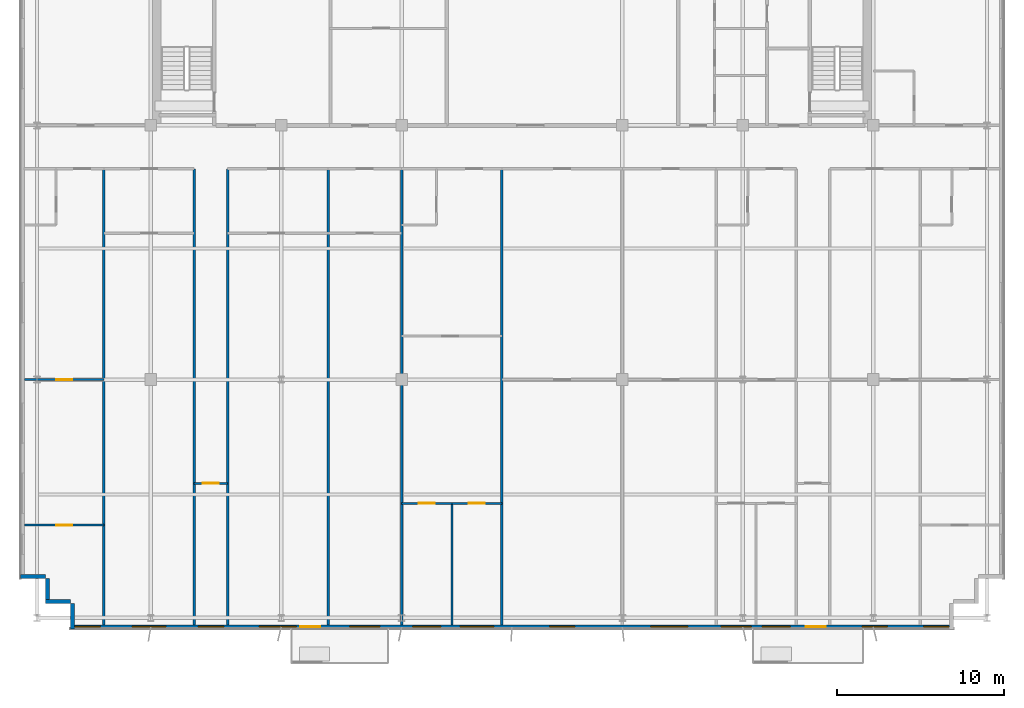
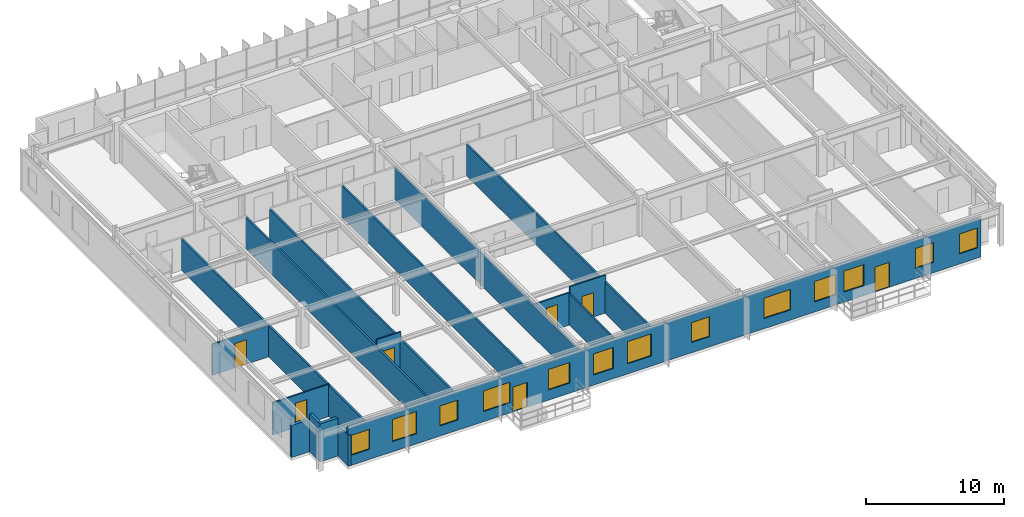
# One storey, part 14 of 21: 17 walls, 13 windows, 7 doors, 20 openings.
"""IFC4 building model written with IfcOpenShell, lengths in metres."""

from ifc_helpers import new_model, si_unit, direction, frame, frame_2d, origin, place, context, subcontext, project, spatial, rectangle, extrude, source, transform, mapped, material, layer, layer_set, type_object, element, fill, save


model = new_model("IFC4")

# Units and contexts
model_context = context("Model", 3, precision=1e-05, world=origin(), true_north=direction((0.0, 1.0)))
body_context = subcontext(model_context, "Body", "Model", "MODEL_VIEW")
ifc_project = project(units=[si_unit("LENGTHUNIT", "METRE"), si_unit("AREAUNIT", "SQUARE_METRE"), si_unit("VOLUMEUNIT", "CUBIC_METRE"), si_unit("PLANEANGLEUNIT", "RADIAN"), si_unit("MASSUNIT", "GRAM", prefix="KILO")], contexts=[model_context])

# Site, building, storey
site_placement = place(None, origin())
site = spatial("IfcSite", under=ifc_project, at=site_placement, CompositionType="ELEMENT")
building_placement = place(site_placement, origin())
building = spatial("IfcBuilding", under=site, at=building_placement, Name="Trelvane Seafront Commons", CompositionType="ELEMENT")
storey_placement = place(building_placement, frame((0.0, 0.0, 157.300048828125)))
storey = spatial("IfcBuildingStorey", under=building, at=storey_placement, Name="L41", CompositionType="ELEMENT", Elevation=157.300048828125)

# Walls
ifc_material_1 = material(Name="Precast concrete C40/50", Category="concrete")
ifc_layer_1 = layer(ifc_material_1, 0.239990234375, Name="ARCH-WALL-EXT240")
ifc_layer_set_1 = layer_set([ifc_layer_1], Name="Precast concrete C40/50")
wall_type_1 = type_object("IfcWallType", Name="ARCH-WALL-EXT240", PredefinedType="SOLIDWALL", material=ifc_layer_set_1)
for number, where, z_axis, x_axis, name in (
    (1, (10.800048828125, 4.919921875, 0.0), (0.0, 0.0, 1.0), (-1.0, 0.0, 0.0), "EW-L41-00802"),
    (2, (9.419921875, 4.800048828125, 0.0), (0.0, 0.0, 1.0), (0.0, 1.0, 0.0), "EW-L41-00803"),
):
    element("IfcWall", number, at=place(storey_placement, frame(where, z_axis=z_axis, x_axis=x_axis)), inside=storey, type_object=wall_type_1, Name=name, PredefinedType="SOLIDWALL", context=body_context, shape_type="SweptSolid", body=[
        extrude(rectangle(XDim=1.5, YDim=0.239990234375, at=frame_2d((0.75, 0.0))), origin(), (0.0, 0.0, 1.0), 3.349853515625),
    ])
wall_1_placement = place(storey_placement, frame((9.300048828125, 6.419921875, 0.0), z_axis=(0.0, 0.0, 1.0), x_axis=(-1.0, 0.0, 0.0)))
element("IfcWall", 3, at=wall_1_placement, inside=storey, type_object=wall_type_1, Name="EW-L41-00804", PredefinedType="SOLIDWALL", context=body_context, shape_type="SweptSolid", body=[
    extrude(rectangle(XDim=1.5, YDim=0.239990234375, at=frame_2d((0.75, 0.0))), origin(), (0.0, 0.0, 1.0), 2.849853515625),
])

# Wall, openings, doors, windows
wall_2_placement = place(storey_placement, frame((63.60009765625, 3.419921875, 0.0), z_axis=(0.0, 0.0, 1.0), x_axis=(-1.0, 0.0, 0.0)))
wall_2 = element("IfcWall", 4, at=wall_2_placement, inside=storey, type_object=wall_type_1, Name="EW-L41-00819", PredefinedType="SOLIDWALL", context=body_context, shape_type="SweptSolid", body=[
    extrude(rectangle(XDim=52.800048828125, YDim=0.239990234375, at=frame_2d((26.39990234375, 0.0))), origin(), (0.0, 0.0, 1.0), 3.349853515625),
])
opening_1_placement = place(wall_2_placement, frame((0.294921875, 0.0, 0.89990234375)))
opening_1 = element("IfcOpeningElement", 5, at=opening_1_placement, cuts=wall_2, Name="Opening W03", PredefinedType="OPENING", context=body_context, shape_type="SweptSolid", body=[
    extrude(rectangle(XDim=1.5, YDim=1.75, at=frame_2d((0.75, 0.875))), frame((0.0, 0.1298828125, 0.0), z_axis=(0.0, -1.0, 0.0), x_axis=(1.0, 0.0, 0.0)), (0.0, 0.0, 1.0), 0.260009765625),
])
opening_2_placement = place(wall_2_placement, frame((3.949951171875, 0.0, 0.89990234375)))
opening_2 = element("IfcOpeningElement", 6, at=opening_2_placement, cuts=wall_2, Name="Opening W03", PredefinedType="OPENING", context=body_context, shape_type="SweptSolid", body=[
    extrude(rectangle(XDim=1.5, YDim=1.75, at=frame_2d((0.75, 0.875))), frame((0.0, 0.1298828125, 0.0), z_axis=(0.0, -1.0, 0.0), x_axis=(1.0, 0.0, 0.0)), (0.0, 0.0, 1.0), 0.260009765625),
])
opening_3_placement = place(wall_2_placement, frame((7.635009765625, 0.0, 0.0)))
opening_3 = element("IfcOpeningElement", 7, at=opening_3_placement, cuts=wall_2, Name="Opening BD-L41-95", PredefinedType="OPENING", context=body_context, shape_type="SweptSolid", body=[
    extrude(rectangle(XDim=1.199951171875, YDim=2.199951171875, at=frame_2d((0.60009765625, 1.10009765625))), frame((0.0, 0.1298828125, 0.0), z_axis=(0.0, -1.0, 0.0), x_axis=(1.0, 0.0, 0.0)), (0.0, 0.0, 1.0), 0.260009765625),
])
opening_4_placement = place(wall_2_placement, frame((9.77490234375, 0.0, 0.89990234375)))
opening_4 = element("IfcOpeningElement", 8, at=opening_4_placement, cuts=wall_2, Name="Opening W07", PredefinedType="OPENING", context=body_context, shape_type="SweptSolid", body=[
    extrude(rectangle(XDim=1.64990234375, YDim=1.85009765625, at=frame_2d((0.824951171875, 0.925048828125))), frame((0.0, 0.1298828125, 0.0), z_axis=(0.0, -1.0, 0.0), x_axis=(1.0, 0.0, 0.0)), (0.0, 0.0, 1.0), 0.260009765625),
])
opening_5_placement = place(wall_2_placement, frame((12.10009765625, 0.0, 0.89990234375)))
opening_5 = element("IfcOpeningElement", 9, at=opening_5_placement, cuts=wall_2, Name="Opening W01", PredefinedType="OPENING", context=body_context, shape_type="SweptSolid", body=[
    extrude(rectangle(XDim=1.800048828125, YDim=1.800048828125, at=frame_2d((0.89990234375, 0.89990234375))), frame((0.0, 0.1298828125, 0.0), z_axis=(0.0, -1.0, 0.0), x_axis=(1.0, 0.0, 0.0)), (0.0, 0.0, 1.0), 0.260009765625),
])
opening_6_placement = place(wall_2_placement, frame((15.89990234375, 0.0, 0.89990234375)))
opening_6 = element("IfcOpeningElement", 10, at=opening_6_placement, cuts=wall_2, Name="Opening W02", PredefinedType="OPENING", context=body_context, shape_type="SweptSolid", body=[
    extrude(rectangle(XDim=2.199951171875, YDim=1.800048828125, at=frame_2d((1.10009765625, 0.89990234375))), frame((0.0, 0.1298828125, 0.0), z_axis=(0.0, -1.0, 0.0), x_axis=(1.0, 0.0, 0.0)), (0.0, 0.0, 1.0), 0.260009765625),
])
opening_7_placement = place(wall_2_placement, frame((22.64990234375, 0.0, 0.89990234375)))
opening_7 = element("IfcOpeningElement", 11, at=opening_7_placement, cuts=wall_2, Name="Opening W03", PredefinedType="OPENING", context=body_context, shape_type="SweptSolid", body=[
    extrude(rectangle(XDim=1.5, YDim=1.75, at=frame_2d((0.75, 0.875))), frame((0.0, 0.1298828125, 0.0), z_axis=(0.0, -1.0, 0.0), x_axis=(1.0, 0.0, 0.0)), (0.0, 0.0, 1.0), 0.260009765625),
])
opening_8_placement = place(wall_2_placement, frame((27.5, 0.0, 0.89990234375)))
opening_8 = element("IfcOpeningElement", 12, at=opening_8_placement, cuts=wall_2, Name="Opening W06", PredefinedType="OPENING", context=body_context, shape_type="SweptSolid", body=[
    extrude(rectangle(XDim=2.0, YDim=1.949951171875, at=frame_2d((1.0, 0.97509765625))), frame((0.0, 0.1298828125, 0.0), z_axis=(0.0, -1.0, 0.0), x_axis=(1.0, 0.0, 0.0)), (0.0, 0.0, 1.0), 0.260009765625),
])
opening_9_placement = place(wall_2_placement, frame((30.675048828125, 0.0, 0.89990234375)))
opening_9 = element("IfcOpeningElement", 13, at=opening_9_placement, cuts=wall_2, Name="Opening W07", PredefinedType="OPENING", context=body_context, shape_type="SweptSolid", body=[
    extrude(rectangle(XDim=1.64990234375, YDim=1.85009765625, at=frame_2d((0.824951171875, 0.925048828125))), frame((0.0, 0.1298828125, 0.0), z_axis=(0.0, -1.0, 0.0), x_axis=(1.0, 0.0, 0.0)), (0.0, 0.0, 1.0), 0.260009765625),
])
opening_10_placement = place(wall_2_placement, frame((34.300048828125, 0.0, 0.89990234375)))
opening_10 = element("IfcOpeningElement", 14, at=opening_10_placement, cuts=wall_2, Name="Opening W01", PredefinedType="OPENING", context=body_context, shape_type="SweptSolid", body=[
    extrude(rectangle(XDim=1.800048828125, YDim=1.800048828125, at=frame_2d((0.89990234375, 0.89990234375))), frame((0.0, 0.1298828125, 0.0), z_axis=(0.0, -1.0, 0.0), x_axis=(1.0, 0.0, 0.0)), (0.0, 0.0, 1.0), 0.260009765625),
])
opening_11_placement = place(wall_2_placement, frame((39.300048828125, 0.0, 0.89990234375)))
opening_11 = element("IfcOpeningElement", 15, at=opening_11_placement, cuts=wall_2, Name="Opening W02", PredefinedType="OPENING", context=body_context, shape_type="SweptSolid", body=[
    extrude(rectangle(XDim=2.199951171875, YDim=1.800048828125, at=frame_2d((1.10009765625, 0.89990234375))), frame((0.0, 0.1298828125, 0.0), z_axis=(0.0, -1.0, 0.0), x_axis=(1.0, 0.0, 0.0)), (0.0, 0.0, 1.0), 0.260009765625),
])
opening_12_placement = place(wall_2_placement, frame((43.64990234375, 0.0, 0.89990234375)))
opening_12 = element("IfcOpeningElement", 16, at=opening_12_placement, cuts=wall_2, Name="Opening W03", PredefinedType="OPENING", context=body_context, shape_type="SweptSolid", body=[
    extrude(rectangle(XDim=1.5, YDim=1.75, at=frame_2d((0.75, 0.875))), frame((0.0, 0.1298828125, 0.0), z_axis=(0.0, -1.0, 0.0), x_axis=(1.0, 0.0, 0.0)), (0.0, 0.0, 1.0), 0.260009765625),
])
opening_13_placement = place(wall_2_placement, frame((47.10009765625, 0.0, 0.89990234375)))
opening_13 = element("IfcOpeningElement", 17, at=opening_13_placement, cuts=wall_2, Name="Opening W06", PredefinedType="OPENING", context=body_context, shape_type="SweptSolid", body=[
    extrude(rectangle(XDim=2.0, YDim=1.949951171875, at=frame_2d((1.0, 0.97509765625))), frame((0.0, 0.1298828125, 0.0), z_axis=(0.0, -1.0, 0.0), x_axis=(1.0, 0.0, 0.0)), (0.0, 0.0, 1.0), 0.260009765625),
])
opening_14_placement = place(wall_2_placement, frame((51.0048828125, 0.0, 0.89990234375)))
opening_14 = element("IfcOpeningElement", 18, at=opening_14_placement, cuts=wall_2, Name="Opening W03", PredefinedType="OPENING", context=body_context, shape_type="SweptSolid", body=[
    extrude(rectangle(XDim=1.5, YDim=1.75, at=frame_2d((0.75, 0.875))), frame((0.0, 0.1298828125, 0.0), z_axis=(0.0, -1.0, 0.0), x_axis=(1.0, 0.0, 0.0)), (0.0, 0.0, 1.0), 0.260009765625),
])
opening_15_placement = place(wall_2_placement, frame((37.85009765625, 0.0, 0.0)))
opening_15 = element("IfcOpeningElement", 19, at=opening_15_placement, cuts=wall_2, Name="Opening BD-L41-96", PredefinedType="OPENING", context=body_context, shape_type="SweptSolid", body=[
    extrude(rectangle(XDim=1.199951171875, YDim=2.199951171875, at=frame_2d((0.60009765625, 1.10009765625))), frame((0.0, 0.1298828125, 0.0), z_axis=(0.0, -1.0, 0.0), x_axis=(1.0, 0.0, 0.0)), (0.0, 0.0, 1.0), 0.260009765625),
])
ifc_material_2 = material(Name="Powder-coated aluminium frame", Category="aluminium")
door_type_1 = type_object("IfcDoorType", Name="ARCH-DR-BAL1200", OperationType="NOTDEFINED", PredefinedType="DOOR", material=ifc_material_2)
shared_shape_1 = source(origin(), body_context, "Body", "SweptSolid", [
    extrude(rectangle(XDim=1.199951171875, YDim=2.199951171875, at=frame_2d((0.60009765625, 1.10009765625))), frame((0.0, 0.02490234375, 0.0), z_axis=(0.0, -1.0, 0.0), x_axis=(1.0, 0.0, 0.0)), (0.0, 0.0, 1.0), 0.050048828125),
])
door_1_placement = place(opening_3_placement, origin())
door_1 = element("IfcDoor", 20, at=door_1_placement, inside=storey, type_object=door_type_1, Name="L41 Balcony Terrace Access Door", OperationType="SINGLE_SWING_LEFT", OverallHeight=2.199951171875, OverallWidth=1.199951171875, PredefinedType="DOOR", context=body_context, shape_type="MappedRepresentation", body=[
    mapped(shared_shape_1, transform((0.0, 0.0, 0.0), x_axis=(1.0, 0.0, 0.0), y_axis=(0.0, 1.0, 0.0), z_axis=(0.0, 0.0, 1.0), scale=1.0)),
])
fill(opening_3, door_1)
door_2_placement = place(opening_15_placement, origin())
door_2 = element("IfcDoor", 21, at=door_2_placement, inside=storey, type_object=door_type_1, Name="L41 Balcony Terrace Access Door", OperationType="SINGLE_SWING_LEFT", OverallHeight=2.199951171875, OverallWidth=1.199951171875, PredefinedType="DOOR", context=body_context, shape_type="MappedRepresentation", body=[
    mapped(shared_shape_1, transform((0.0, 0.0, 0.0), x_axis=(1.0, 0.0, 0.0), y_axis=(0.0, 1.0, 0.0), z_axis=(0.0, 0.0, 1.0), scale=1.0)),
])
fill(opening_15, door_2)
ifc_material_3 = material(Name="Low-E coastal double glazing", Category="glass")
window_type_1 = type_object("IfcWindowType", Name="ARCH-WIN-W02", PartitioningType="SINGLE_PANEL", PredefinedType="WINDOW", material=ifc_material_3)
shared_shape_2 = source(origin(), body_context, "Body", "SweptSolid", [
    extrude(rectangle(XDim=2.199951171875, YDim=1.800048828125, at=frame_2d((1.10009765625, 0.89990234375))), frame((0.0, 0.030029296875, 0.0), z_axis=(0.0, -1.0, 0.0), x_axis=(1.0, 0.0, 0.0)), (0.0, 0.0, 1.0), 0.06005859375),
])
window_1_placement = place(opening_6_placement, origin())
window_1 = element("IfcWindow", 22, at=window_1_placement, inside=storey, type_object=window_type_1, Name="WIN-L41-00974", OverallHeight=1.800048828125, OverallWidth=2.199951171875, PartitioningType="SINGLE_PANEL", PredefinedType="WINDOW", context=body_context, shape_type="MappedRepresentation", body=[
    mapped(shared_shape_2, transform((0.0, 0.0, 0.0), x_axis=(1.0, 0.0, 0.0), y_axis=(0.0, 1.0, 0.0), z_axis=(0.0, 0.0, 1.0), scale=1.0)),
])
fill(opening_6, window_1)
window_2_placement = place(opening_11_placement, origin())
window_2 = element("IfcWindow", 23, at=window_2_placement, inside=storey, type_object=window_type_1, Name="WIN-L41-00979", OverallHeight=1.800048828125, OverallWidth=2.199951171875, PartitioningType="SINGLE_PANEL", PredefinedType="WINDOW", context=body_context, shape_type="MappedRepresentation", body=[
    mapped(shared_shape_2, transform((0.0, 0.0, 0.0), x_axis=(1.0, 0.0, 0.0), y_axis=(0.0, 1.0, 0.0), z_axis=(0.0, 0.0, 1.0), scale=1.0)),
])
fill(opening_11, window_2)
window_type_2 = type_object("IfcWindowType", Name="ARCH-WIN-W03", PartitioningType="SINGLE_PANEL", PredefinedType="WINDOW", material=ifc_material_3)
shared_shape_3 = source(origin(), body_context, "Body", "SweptSolid", [
    extrude(rectangle(XDim=1.5, YDim=1.75, at=frame_2d((0.75, 0.875))), frame((0.0, 0.030029296875, 0.0), z_axis=(0.0, -1.0, 0.0), x_axis=(1.0, 0.0, 0.0)), (0.0, 0.0, 1.0), 0.06005859375),
])
window_3_placement = place(opening_1_placement, origin())
window_3 = element("IfcWindow", 24, at=window_3_placement, inside=storey, type_object=window_type_2, Name="WIN-L41-00970", OverallHeight=1.75, OverallWidth=1.5, PartitioningType="SINGLE_PANEL", PredefinedType="WINDOW", context=body_context, shape_type="MappedRepresentation", body=[
    mapped(shared_shape_3, transform((0.0, 0.0, 0.0), x_axis=(1.0, 0.0, 0.0), y_axis=(0.0, 1.0, 0.0), z_axis=(0.0, 0.0, 1.0), scale=1.0)),
])
fill(opening_1, window_3)
window_4_placement = place(opening_2_placement, origin())
window_4 = element("IfcWindow", 25, at=window_4_placement, inside=storey, type_object=window_type_2, Name="WIN-L41-00971", OverallHeight=1.75, OverallWidth=1.5, PartitioningType="SINGLE_PANEL", PredefinedType="WINDOW", context=body_context, shape_type="MappedRepresentation", body=[
    mapped(shared_shape_3, transform((0.0, 0.0, 0.0), x_axis=(1.0, 0.0, 0.0), y_axis=(0.0, 1.0, 0.0), z_axis=(0.0, 0.0, 1.0), scale=1.0)),
])
fill(opening_2, window_4)
window_5_placement = place(opening_7_placement, origin())
window_5 = element("IfcWindow", 26, at=window_5_placement, inside=storey, type_object=window_type_2, Name="WIN-L41-00975", OverallHeight=1.75, OverallWidth=1.5, PartitioningType="SINGLE_PANEL", PredefinedType="WINDOW", context=body_context, shape_type="MappedRepresentation", body=[
    mapped(shared_shape_3, transform((0.0, 0.0, 0.0), x_axis=(1.0, 0.0, 0.0), y_axis=(0.0, 1.0, 0.0), z_axis=(0.0, 0.0, 1.0), scale=1.0)),
])
fill(opening_7, window_5)
window_6_placement = place(opening_12_placement, origin())
window_6 = element("IfcWindow", 27, at=window_6_placement, inside=storey, type_object=window_type_2, Name="WIN-L41-00980", OverallHeight=1.75, OverallWidth=1.5, PartitioningType="SINGLE_PANEL", PredefinedType="WINDOW", context=body_context, shape_type="MappedRepresentation", body=[
    mapped(shared_shape_3, transform((0.0, 0.0, 0.0), x_axis=(1.0, 0.0, 0.0), y_axis=(0.0, 1.0, 0.0), z_axis=(0.0, 0.0, 1.0), scale=1.0)),
])
fill(opening_12, window_6)
window_7_placement = place(opening_14_placement, origin())
window_7 = element("IfcWindow", 28, at=window_7_placement, inside=storey, type_object=window_type_2, Name="WIN-L41-00982", OverallHeight=1.75, OverallWidth=1.5, PartitioningType="SINGLE_PANEL", PredefinedType="WINDOW", context=body_context, shape_type="MappedRepresentation", body=[
    mapped(shared_shape_3, transform((0.0, 0.0, 0.0), x_axis=(1.0, 0.0, 0.0), y_axis=(0.0, 1.0, 0.0), z_axis=(0.0, 0.0, 1.0), scale=1.0)),
])
fill(opening_14, window_7)
window_type_3 = type_object("IfcWindowType", Name="ARCH-WIN-W06", PartitioningType="SINGLE_PANEL", PredefinedType="WINDOW", material=ifc_material_3)
shared_shape_4 = source(origin(), body_context, "Body", "SweptSolid", [
    extrude(rectangle(XDim=2.0, YDim=1.949951171875, at=frame_2d((1.0, 0.97509765625))), frame((0.0, 0.030029296875, 0.0), z_axis=(0.0, -1.0, 0.0), x_axis=(1.0, 0.0, 0.0)), (0.0, 0.0, 1.0), 0.06005859375),
])
window_8_placement = place(opening_8_placement, origin())
window_8 = element("IfcWindow", 29, at=window_8_placement, inside=storey, type_object=window_type_3, Name="WIN-L41-00976", OverallHeight=1.949951171875, OverallWidth=2.0, PartitioningType="SINGLE_PANEL", PredefinedType="WINDOW", context=body_context, shape_type="MappedRepresentation", body=[
    mapped(shared_shape_4, transform((0.0, 0.0, 0.0), x_axis=(1.0, 0.0, 0.0), y_axis=(0.0, 1.0, 0.0), z_axis=(0.0, 0.0, 1.0), scale=1.0)),
])
fill(opening_8, window_8)
window_9_placement = place(opening_13_placement, origin())
window_9 = element("IfcWindow", 30, at=window_9_placement, inside=storey, type_object=window_type_3, Name="WIN-L41-00981", OverallHeight=1.949951171875, OverallWidth=2.0, PartitioningType="SINGLE_PANEL", PredefinedType="WINDOW", context=body_context, shape_type="MappedRepresentation", body=[
    mapped(shared_shape_4, transform((0.0, 0.0, 0.0), x_axis=(1.0, 0.0, 0.0), y_axis=(0.0, 1.0, 0.0), z_axis=(0.0, 0.0, 1.0), scale=1.0)),
])
fill(opening_13, window_9)
window_type_4 = type_object("IfcWindowType", Name="ARCH-WIN-W01", PartitioningType="SINGLE_PANEL", PredefinedType="WINDOW", material=ifc_material_3)
shared_shape_5 = source(origin(), body_context, "Body", "SweptSolid", [
    extrude(rectangle(XDim=1.800048828125, YDim=1.800048828125, at=frame_2d((0.89990234375, 0.89990234375))), frame((0.0, 0.030029296875, 0.0), z_axis=(0.0, -1.0, 0.0), x_axis=(1.0, 0.0, 0.0)), (0.0, 0.0, 1.0), 0.06005859375),
])
window_10_placement = place(opening_5_placement, origin())
window_10 = element("IfcWindow", 31, at=window_10_placement, inside=storey, type_object=window_type_4, Name="WIN-L41-00973", OverallHeight=1.800048828125, OverallWidth=1.800048828125, PartitioningType="SINGLE_PANEL", PredefinedType="WINDOW", context=body_context, shape_type="MappedRepresentation", body=[
    mapped(shared_shape_5, transform((0.0, 0.0, 0.0), x_axis=(1.0, 0.0, 0.0), y_axis=(0.0, 1.0, 0.0), z_axis=(0.0, 0.0, 1.0), scale=1.0)),
])
fill(opening_5, window_10)
window_11_placement = place(opening_10_placement, origin())
window_11 = element("IfcWindow", 32, at=window_11_placement, inside=storey, type_object=window_type_4, Name="WIN-L41-00978", OverallHeight=1.800048828125, OverallWidth=1.800048828125, PartitioningType="SINGLE_PANEL", PredefinedType="WINDOW", context=body_context, shape_type="MappedRepresentation", body=[
    mapped(shared_shape_5, transform((0.0, 0.0, 0.0), x_axis=(1.0, 0.0, 0.0), y_axis=(0.0, 1.0, 0.0), z_axis=(0.0, 0.0, 1.0), scale=1.0)),
])
fill(opening_10, window_11)
window_type_5 = type_object("IfcWindowType", Name="ARCH-WIN-W07", PartitioningType="SINGLE_PANEL", PredefinedType="WINDOW", material=ifc_material_3)
shared_shape_6 = source(origin(), body_context, "Body", "SweptSolid", [
    extrude(rectangle(XDim=1.64990234375, YDim=1.85009765625, at=frame_2d((0.824951171875, 0.925048828125))), frame((0.0, 0.030029296875, 0.0), z_axis=(0.0, -1.0, 0.0), x_axis=(1.0, 0.0, 0.0)), (0.0, 0.0, 1.0), 0.06005859375),
])
window_12_placement = place(opening_4_placement, origin())
window_12 = element("IfcWindow", 33, at=window_12_placement, inside=storey, type_object=window_type_5, Name="WIN-L41-00972", OverallHeight=1.85009765625, OverallWidth=1.64990234375, PartitioningType="SINGLE_PANEL", PredefinedType="WINDOW", context=body_context, shape_type="MappedRepresentation", body=[
    mapped(shared_shape_6, transform((0.0, 0.0, 0.0), x_axis=(1.0, 0.0, 0.0), y_axis=(0.0, 1.0, 0.0), z_axis=(0.0, 0.0, 1.0), scale=1.0)),
])
fill(opening_4, window_12)
window_13_placement = place(opening_9_placement, origin())
window_13 = element("IfcWindow", 34, at=window_13_placement, inside=storey, type_object=window_type_5, Name="WIN-L41-00977", OverallHeight=1.85009765625, OverallWidth=1.64990234375, PartitioningType="SINGLE_PANEL", PredefinedType="WINDOW", context=body_context, shape_type="MappedRepresentation", body=[
    mapped(shared_shape_6, transform((0.0, 0.0, 0.0), x_axis=(1.0, 0.0, 0.0), y_axis=(0.0, 1.0, 0.0), z_axis=(0.0, 0.0, 1.0), scale=1.0)),
])
fill(opening_9, window_13)

# Wall
wall_3_placement = place(storey_placement, frame((10.919921875, 3.300048828125, 0.0), z_axis=(0.0, 0.0, 1.0), x_axis=(0.0, 1.0, 0.0)))
element("IfcWall", 35, at=wall_3_placement, inside=storey, type_object=wall_type_1, Name="EW-L41-00820", PredefinedType="SOLIDWALL", context=body_context, shape_type="SweptSolid", body=[
    extrude(rectangle(XDim=1.5, YDim=0.239990234375, at=frame_2d((0.75, 0.0))), origin(), (0.0, 0.0, 1.0), 2.75),
])

# Wall, opening, door
ifc_material_4 = material(Name="Gypsum Drywall Acoustic Partition")
ifc_layer_2 = layer(ifc_material_4, 0.1201171875, Name="ARCH-WALL-PART120")
ifc_layer_set_2 = layer_set([ifc_layer_2], Name="Gypsum Drywall Acoustic Partition")
wall_type_2 = type_object("IfcWallType", Name="ARCH-WALL-PART120", PredefinedType="PARTITIONING", material=ifc_layer_set_2)
wall_4_placement = place(storey_placement, frame((8.0400390625, 18.199951171875, 0.0), z_axis=(0.0, 0.0, 1.0), x_axis=(1.0, 0.0, 0.0)))
wall_4 = element("IfcWall", 36, at=wall_4_placement, inside=storey, type_object=wall_type_2, Name="W-L41-U1-KL-054", PredefinedType="PARTITIONING", context=body_context, shape_type="SweptSolid", body=[
    extrude(rectangle(XDim=4.760009765625, YDim=0.1201171875, at=frame_2d((2.3798828125, 0.0))), origin(), (0.0, 0.0, 1.0), 2.75),
])
opening_16_placement = place(wall_4_placement, frame((1.905029296875, 0.0, 0.0)))
opening_16 = element("IfcOpeningElement", 37, at=opening_16_placement, cuts=wall_4, Name="Opening D-L41-29", PredefinedType="OPENING", context=body_context, shape_type="SweptSolid", body=[
    extrude(rectangle(XDim=0.949951171875, YDim=2.14990234375, at=frame_2d((0.47509765625, 1.074951171875))), frame((0.0, 0.070068359375, 0.0), z_axis=(0.0, -1.0, 0.0), x_axis=(1.0, 0.0, 0.0)), (0.0, 0.0, 1.0), 0.14013671875),
])
ifc_material_5 = material(Name="Acoustic timber door leaf", Category="wood")
door_type_2 = type_object("IfcDoorType", Name="ARCH-DR-INT950", OperationType="NOTDEFINED", PredefinedType="DOOR", material=ifc_material_5)
shared_shape_7 = source(origin(), body_context, "Body", "SweptSolid", [
    extrude(rectangle(XDim=0.949951171875, YDim=2.14990234375, at=frame_2d((0.47509765625, 1.074951171875))), frame((0.0, 0.02490234375, 0.0), z_axis=(0.0, -1.0, 0.0), x_axis=(1.0, 0.0, 0.0)), (0.0, 0.0, 1.0), 0.050048828125),
])
door_3_placement = place(opening_16_placement, origin())
door_3 = element("IfcDoor", 38, at=door_3_placement, inside=storey, type_object=door_type_2, Name="L41 Door 29", OperationType="SINGLE_SWING_LEFT", OverallHeight=2.14990234375, OverallWidth=0.949951171875, PredefinedType="DOOR", context=body_context, shape_type="MappedRepresentation", body=[
    mapped(shared_shape_7, transform((0.0, 0.0, 0.0), x_axis=(1.0, 0.0, 0.0), y_axis=(0.0, 1.0, 0.0), z_axis=(0.0, 0.0, 1.0), scale=1.0)),
])
fill(opening_16, door_3)

wall_5_placement = place(storey_placement, frame((8.0400390625, 9.5, 0.0), z_axis=(0.0, 0.0, 1.0), x_axis=(1.0, 0.0, 0.0)))
wall_5 = element("IfcWall", 39, at=wall_5_placement, inside=storey, type_object=wall_type_2, Name="W-L41-U1-YM-1-058", PredefinedType="PARTITIONING", context=body_context, shape_type="SweptSolid", body=[
    extrude(rectangle(XDim=4.760009765625, YDim=0.1201171875, at=frame_2d((2.3798828125, 0.0))), origin(), (0.0, 0.0, 1.0), 2.849853515625),
])
opening_17_placement = place(wall_5_placement, frame((1.905029296875, 0.0, 0.0)))
opening_17 = element("IfcOpeningElement", 40, at=opening_17_placement, cuts=wall_5, Name="Opening D-L41-32", PredefinedType="OPENING", context=body_context, shape_type="SweptSolid", body=[
    extrude(rectangle(XDim=0.949951171875, YDim=2.14990234375, at=frame_2d((0.47509765625, 1.074951171875))), frame((0.0, 0.070068359375, 0.0), z_axis=(0.0, -1.0, 0.0), x_axis=(1.0, 0.0, 0.0)), (0.0, 0.0, 1.0), 0.14013671875),
])
door_4_placement = place(opening_17_placement, origin())
door_4 = element("IfcDoor", 41, at=door_4_placement, inside=storey, type_object=door_type_2, Name="L41 Door 32", OperationType="SINGLE_SWING_RIGHT", OverallHeight=2.14990234375, OverallWidth=0.949951171875, PredefinedType="DOOR", context=body_context, shape_type="MappedRepresentation", body=[
    mapped(shared_shape_7, transform((0.0, 0.0, 0.0), x_axis=(1.0, 0.0, 0.0), y_axis=(0.0, 1.0, 0.0), z_axis=(0.0, 0.0, 1.0), scale=1.0)),
])
fill(opening_17, door_4)

wall_6_placement = place(storey_placement, frame((18.199951171875, 12.0, 0.0), z_axis=(0.0, 0.0, 1.0), x_axis=(1.0, 0.0, 0.0)))
wall_6 = element("IfcWall", 42, at=wall_6_placement, inside=storey, type_object=wall_type_2, Name="W-L41-ARM-END-3-063", PredefinedType="PARTITIONING", context=body_context, shape_type="SweptSolid", body=[
    extrude(rectangle(XDim=2.0, YDim=0.1201171875, at=frame_2d((1.0, 0.0))), origin(), (0.0, 0.0, 1.0), 3.349853515625),
])
opening_18_placement = place(wall_6_placement, frame((0.52001953125, 0.0, 0.0)))
opening_18 = element("IfcOpeningElement", 43, at=opening_18_placement, cuts=wall_6, Name="Opening D-L41-35", PredefinedType="OPENING", context=body_context, shape_type="SweptSolid", body=[
    extrude(rectangle(XDim=0.949951171875, YDim=2.14990234375, at=frame_2d((0.47509765625, 1.074951171875))), frame((0.0, 0.070068359375, 0.0), z_axis=(0.0, -1.0, 0.0), x_axis=(1.0, 0.0, 0.0)), (0.0, 0.0, 1.0), 0.14013671875),
])
door_5_placement = place(opening_18_placement, origin())
door_5 = element("IfcDoor", 44, at=door_5_placement, inside=storey, type_object=door_type_2, Name="L41 Door 35", OperationType="SINGLE_SWING_LEFT", OverallHeight=2.14990234375, OverallWidth=0.949951171875, PredefinedType="DOOR", context=body_context, shape_type="MappedRepresentation", body=[
    mapped(shared_shape_7, transform((0.0, 0.0, 0.0), x_axis=(1.0, 0.0, 0.0), y_axis=(0.0, 1.0, 0.0), z_axis=(0.0, 0.0, 1.0), scale=1.0)),
])
fill(opening_18, door_5)

wall_7_placement = place(storey_placement, frame((30.60009765625, 10.800048828125, 0.0), z_axis=(0.0, 0.0, 1.0), x_axis=(1.0, 0.0, 0.0)))
wall_7 = element("IfcWall", 45, at=wall_7_placement, inside=storey, type_object=wall_type_2, Name="W-L41-U6-YM-1-072", PredefinedType="PARTITIONING", context=body_context, shape_type="SweptSolid", body=[
    extrude(rectangle(XDim=3.0, YDim=0.1201171875, at=frame_2d((1.5, 0.0))), origin(), (0.0, 0.0, 1.0), 2.849853515625),
])
opening_19_placement = place(wall_7_placement, frame((1.02490234375, 0.0, 0.0)))
opening_19 = element("IfcOpeningElement", 46, at=opening_19_placement, cuts=wall_7, Name="Opening D-L41-43", PredefinedType="OPENING", context=body_context, shape_type="SweptSolid", body=[
    extrude(rectangle(XDim=0.949951171875, YDim=2.14990234375, at=frame_2d((0.47509765625, 1.074951171875))), frame((0.0, 0.070068359375, 0.0), z_axis=(0.0, -1.0, 0.0), x_axis=(1.0, 0.0, 0.0)), (0.0, 0.0, 1.0), 0.14013671875),
])
door_6_placement = place(opening_19_placement, origin())
door_6 = element("IfcDoor", 47, at=door_6_placement, inside=storey, type_object=door_type_2, Name="L41 Door 43", OperationType="SINGLE_SWING_LEFT", OverallHeight=2.14990234375, OverallWidth=0.949951171875, PredefinedType="DOOR", context=body_context, shape_type="MappedRepresentation", body=[
    mapped(shared_shape_7, transform((0.0, 0.0, 0.0), x_axis=(1.0, 0.0, 0.0), y_axis=(0.0, 1.0, 0.0), z_axis=(0.0, 0.0, 1.0), scale=1.0)),
])
fill(opening_19, door_6)

wall_8_placement = place(storey_placement, frame((33.60009765625, 10.800048828125, 0.0), z_axis=(0.0, 0.0, 1.0), x_axis=(1.0, 0.0, 0.0)))
wall_8 = element("IfcWall", 48, at=wall_8_placement, inside=storey, type_object=wall_type_2, Name="W-L41-U6-YM-2-073", PredefinedType="PARTITIONING", context=body_context, shape_type="SweptSolid", body=[
    extrude(rectangle(XDim=3.0, YDim=0.1201171875, at=frame_2d((1.5, 0.0))), origin(), (0.0, 0.0, 1.0), 3.349853515625),
])
opening_20_placement = place(wall_8_placement, frame((1.02490234375, 0.0, 0.0)))
opening_20 = element("IfcOpeningElement", 49, at=opening_20_placement, cuts=wall_8, Name="Opening D-L41-44", PredefinedType="OPENING", context=body_context, shape_type="SweptSolid", body=[
    extrude(rectangle(XDim=0.949951171875, YDim=2.14990234375, at=frame_2d((0.47509765625, 1.074951171875))), frame((0.0, 0.070068359375, 0.0), z_axis=(0.0, -1.0, 0.0), x_axis=(1.0, 0.0, 0.0)), (0.0, 0.0, 1.0), 0.14013671875),
])
door_7_placement = place(opening_20_placement, origin())
door_7 = element("IfcDoor", 50, at=door_7_placement, inside=storey, type_object=door_type_2, Name="L41 Door 44", OperationType="SINGLE_SWING_RIGHT", OverallHeight=2.14990234375, OverallWidth=0.949951171875, PredefinedType="DOOR", context=body_context, shape_type="MappedRepresentation", body=[
    mapped(shared_shape_7, transform((0.0, 0.0, 0.0), x_axis=(1.0, 0.0, 0.0), y_axis=(0.0, 1.0, 0.0), z_axis=(0.0, 0.0, 1.0), scale=1.0)),
])
fill(opening_20, door_7)

# Walls
wall_9_placement = place(storey_placement, frame((33.60009765625, 3.52490234375, 0.0), z_axis=(0.0, 0.0, 1.0), x_axis=(0.0, 1.0, 0.0)))
element("IfcWall", 51, at=wall_9_placement, inside=storey, type_object=wall_type_2, Name="W-L41-U6-BDV-1-074", PredefinedType="PARTITIONING", context=body_context, shape_type="SweptSolid", body=[
    extrude(rectangle(XDim=7.275146484375, YDim=0.1201171875, at=frame_2d((3.6376953125, 0.0))), origin(), (0.0, 0.0, 1.0), 2.75),
])
ifc_layer_3 = layer(ifc_material_4, 0.14990234375, Name="ARCH-WALL-PART150")
ifc_layer_set_3 = layer_set([ifc_layer_3], Name="Gypsum Drywall Acoustic Partition")
wall_type_3 = type_object("IfcWallType", Name="ARCH-WALL-PART150", PredefinedType="PARTITIONING", material=ifc_layer_set_3)
for number, where, z_axis, x_axis, name in (
    (52, (12.800048828125, 3.52490234375, 0.0), (0.0, 0.0, 1.0), (0.0, 1.0, 0.0), "W-L41-PW-1-047"),
    (53, (26.199951171875, 3.52490234375, 0.0), (0.0, 0.0, 1.0), (0.0, 1.0, 0.0), "W-L41-PW-4-048"),
):
    element("IfcWall", number, at=place(storey_placement, frame(where, z_axis=z_axis, x_axis=x_axis)), inside=storey, type_object=wall_type_3, Name=name, PredefinedType="PARTITIONING", context=body_context, shape_type="SweptSolid", body=[
        extrude(rectangle(XDim=27.275146484375, YDim=0.14990234375, at=frame_2d((13.6376953125, 0.0))), origin(), (0.0, 0.0, 1.0), 2.75),
    ])
wall_10_placement = place(storey_placement, frame((30.60009765625, 3.52490234375, 0.0), z_axis=(0.0, 0.0, 1.0), x_axis=(0.0, 1.0, 0.0)))
element("IfcWall", 54, at=wall_10_placement, inside=storey, type_object=wall_type_3, Name="W-L41-PW-5-049", PredefinedType="PARTITIONING", context=body_context, shape_type="SweptSolid", body=[
    extrude(rectangle(XDim=27.275146484375, YDim=0.14990234375, at=frame_2d((13.6376953125, 0.0))), origin(), (0.0, 0.0, 1.0), 2.849853515625),
])
for number, where, z_axis, x_axis, name in (
    (55, (36.60009765625, 3.52490234375, 0.0), (0.0, 0.0, 1.0), (0.0, 1.0, 0.0), "W-L41-PW-6-050"),
    (56, (18.199951171875, 3.52490234375, 0.0), (0.0, 0.0, 1.0), (0.0, 1.0, 0.0), "W-L41-ARM-W-3-061"),
    (57, (20.199951171875, 3.52490234375, 0.0), (0.0, 0.0, 1.0), (0.0, 1.0, 0.0), "W-L41-ARM-E-3-062"),
):
    element("IfcWall", number, at=place(storey_placement, frame(where, z_axis=z_axis, x_axis=x_axis)), inside=storey, type_object=wall_type_3, Name=name, PredefinedType="PARTITIONING", context=body_context, shape_type="SweptSolid", body=[
        extrude(rectangle(XDim=27.275146484375, YDim=0.14990234375, at=frame_2d((13.6376953125, 0.0))), origin(), (0.0, 0.0, 1.0), 2.75),
    ])

save(model, "model.ifc")
